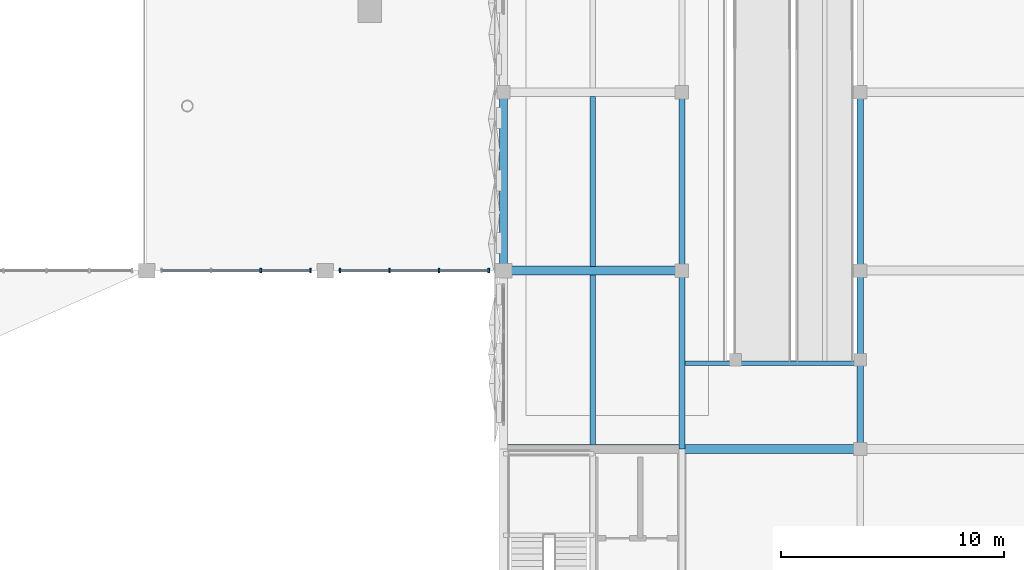
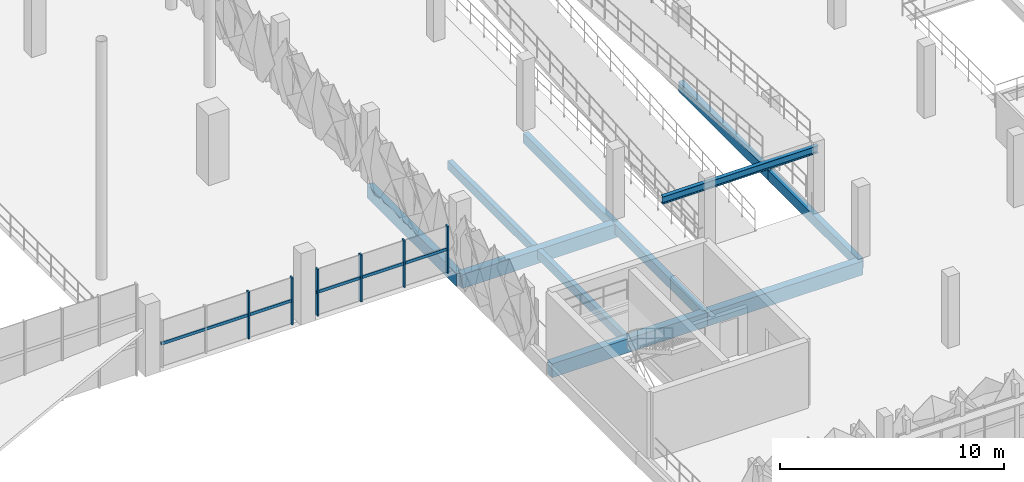
# One storey, part 42 of 123: 11 beams, 8 members, 2 elements without a shape of their own.
"""IFC4 building model written with IfcOpenShell, lengths in metres."""

from ifc_helpers import new_model, si_unit, derived_unit, direction, frame, origin, origin_2d, place, context, subcontext, project, spatial, rectangle, i_section, extrude, material, layer, layer_set, material_profile, profile_set, type_object, element, aggregate, save


model = new_model("IFC4")

# Units and contexts
model_context = context("Model", 3, precision=1e-05, world=origin(), true_north=direction((0.0, 1.0)))
body_context = subcontext(model_context, "Body", "Model", "MODEL_VIEW")
ifc_project = project(units=[si_unit("LENGTHUNIT", "METRE"), si_unit("AREAUNIT", "SQUARE_METRE"), si_unit("VOLUMEUNIT", "CUBIC_METRE"), si_unit("PLANEANGLEUNIT", "RADIAN"), si_unit("MASSUNIT", "GRAM", prefix="KILO"), si_unit("THERMODYNAMICTEMPERATUREUNIT", "KELVIN"), derived_unit("THERMALTRANSMITTANCEUNIT", [(si_unit("POWERUNIT", "WATT"), 1), (si_unit("AREAUNIT", "SQUARE_METRE"), -1), (si_unit("THERMODYNAMICTEMPERATUREUNIT", "KELVIN"), -1)])], contexts=[model_context])

# Site, building, storey
site_placement = place(None, origin())
site = spatial("IfcSite", under=ifc_project, at=site_placement, CompositionType="ELEMENT")
building_placement = place(site_placement, origin())
building = spatial("IfcBuilding", under=site, at=building_placement, Name="Haiyu Intermodal Mobility Hub", CompositionType="ELEMENT")
storey_placement = place(building_placement, frame((0.0, 0.0, 5.60009765625)))
storey = spatial("IfcBuildingStorey", under=building, at=storey_placement, Name="L01", CompositionType="ELEMENT", Elevation=5.60009765625)

# Beams
ifc_material_1 = material(Name="Concrete C40", Category="concrete")
ifc_material_profile_1 = material_profile(ifc_material_1, rectangle(XDim=0.39990234375, YDim=0.75, at=origin_2d()), Name="RCB400x750")
ifc_profile_set_1 = profile_set([ifc_material_profile_1], Name="Concrete C40")
beam_type_1 = type_object("IfcBeamType", Name="BM-CB03", PredefinedType="BEAM", material=ifc_profile_set_1)
for number, where, z_axis, x_axis, name in (
    (1, (154.0, 32.0, -0.635009765625), (1.0, 0.0, 0.0), (0.0, 1.0, 0.0), "BM-V5G-L01-014"),
    (2, (162.0, 32.0, -0.635009765625), (1.0, 0.0, 0.0), (0.0, 1.0, 0.0), "BM-V5G-L01-015"),
    (3, (154.0, 40.0, -0.635009765625), (1.0, 0.0, 0.0), (0.0, 1.0, 0.0), "BM-V5G-L01-021"),
):
    element("IfcBeam", number, at=place(storey_placement, frame(where, z_axis=z_axis, x_axis=x_axis)), inside=storey, type_object=beam_type_1, Name=name, PredefinedType="BEAM", context=body_context, shape_type="SweptSolid", body=[
        extrude(rectangle(XDim=0.39990234375, YDim=0.75, at=origin_2d()), origin(), (0.0, 0.0, 1.0), 8.0),
    ])
ifc_material_profile_2 = material_profile(ifc_material_1, rectangle(XDim=0.35009765625, YDim=0.699951171875, at=origin_2d()), Name="RCB350x700")
ifc_profile_set_2 = profile_set([ifc_material_profile_2], Name="Concrete C40")
beam_type_2 = type_object("IfcBeamType", Name="BM-CB06", PredefinedType="BEAM", material=ifc_profile_set_2)
beam_1_placement = place(storey_placement, frame((154.0, 40.0, -0.610107421875), z_axis=(0.0, 1.0, 0.0), x_axis=(-1.0, 0.0, 0.0)))
element("IfcBeam", 4, at=beam_1_placement, inside=storey, type_object=beam_type_2, Name="BM-V5T-L01-004", PredefinedType="BEAM", context=body_context, shape_type="SweptSolid", body=[
    extrude(rectangle(XDim=0.35009765625, YDim=0.699951171875, at=origin_2d()), origin(), (0.0, 0.0, 1.0), 8.0),
])
ifc_material_profile_3 = material_profile(ifc_material_1, rectangle(XDim=0.280029296875, YDim=0.5400390625, at=origin_2d()), Name="RCB280x540")
ifc_profile_set_3 = profile_set([ifc_material_profile_3], Name="Concrete C40")
beam_type_3 = type_object("IfcBeamType", Name="BM-CB08", PredefinedType="JOIST", material=ifc_profile_set_3)
for number, where, z_axis, x_axis, name in (
    (5, (162.0, 32.0, -0.530029296875), (0.0, 1.0, 0.0), (-1.0, 0.0, 0.0), "BM-V5T-L01-011"),
    (6, (162.0, 40.0, -0.530029296875), (0.0, 1.0, 0.0), (-1.0, 0.0, 0.0), "BM-V5T-L01-012"),
    (7, (170.0, 32.0, -0.530029296875), (0.0, 1.0, 0.0), (-1.0, 0.0, 0.0), "BM-V5T-L01-019"),
    (8, (170.0, 40.0, -0.530029296875), (0.0, 1.0, 0.0), (-1.0, 0.0, 0.0), "BM-V5T-L01-020"),
):
    element("IfcBeam", number, at=place(storey_placement, frame(where, z_axis=z_axis, x_axis=x_axis)), inside=storey, type_object=beam_type_3, Name=name, PredefinedType="JOIST", context=body_context, shape_type="SweptSolid", body=[
        extrude(rectangle(XDim=0.280029296875, YDim=0.5400390625, at=origin_2d()), origin(), (0.0, 0.0, 1.0), 8.0),
    ])
ifc_material_profile_4 = material_profile(ifc_material_1, rectangle(XDim=0.25, YDim=0.47998046875, at=origin_2d()), Name="RCB250x480")
ifc_profile_set_4 = profile_set([ifc_material_profile_4], Name="Concrete C40")
beam_type_4 = type_object("IfcBeamType", Name="BM-CB09", PredefinedType="JOIST", material=ifc_profile_set_4)
for number, where, z_axis, x_axis, name in (
    (9, (158.0, 32.18505859375, -0.5), (0.0, 1.0, 0.0), (-1.0, 0.0, 0.0), "BM-V5J-L01-003"),
    (10, (158.0, 40.18505859375, -0.5), (0.0, 1.0, 0.0), (-1.0, 0.0, 0.0), "BM-V5J-L01-004"),
):
    element("IfcBeam", number, at=place(storey_placement, frame(where, z_axis=z_axis, x_axis=x_axis)), inside=storey, type_object=beam_type_4, Name=name, PredefinedType="JOIST", context=body_context, shape_type="SweptSolid", body=[
        extrude(rectangle(XDim=0.25, YDim=0.47998046875, at=origin_2d()), origin(), (0.0, 0.0, 1.0), 7.6298828125),
    ])
ifc_material_2 = material(Name="Steel Q355C", Category="steel")
ifc_material_profile_5 = material_profile(ifc_material_2, i_section(OverallWidth=0.199951171875, OverallDepth=0.39990234375, WebThickness=0.008056640625, FlangeThickness=0.012939453125, FilletRadius=0.01611328125, at=origin_2d()), Name="HN400x200x8x13")
ifc_profile_set_5 = profile_set([ifc_material_profile_5], Name="Steel Q355C")
beam_type_5 = type_object("IfcBeamType", Name="BM-SB08", PredefinedType="JOIST", material=ifc_profile_set_5)
beam_2_placement = place(storey_placement, frame((162.0, 35.85009765625, 3.434814453125), z_axis=(1.0, 0.0, 0.0), x_axis=(0.0, 1.0, 0.0)))
element("IfcBeam", 11, at=beam_2_placement, inside=storey, type_object=beam_type_5, Name="BM-BRMPT-L01", PredefinedType="JOIST", context=body_context, shape_type="SweptSolid", body=[
    extrude(i_section(OverallWidth=0.199951171875, OverallDepth=0.39990234375, WebThickness=0.008056640625, FlangeThickness=0.012939453125, FilletRadius=0.01611328125, at=origin_2d()), origin(), (0.0, 0.0, 1.0), 8.0),
])

# Curtain wall, members
ifc_material_3 = material(Name="Low-e laminated insulating glass", Category="glass")
ifc_layer = layer(ifc_material_3, 0.219970703125)
ifc_layer_set = layer_set([ifc_layer], Name="Low-e laminated insulating glass")
curtain_wall_type = type_object("IfcCurtainWallType", Name="CW-CW01", PredefinedType="NOTDEFINED", material=ifc_layer_set)
curtain_wall_1_placement = place(storey_placement, origin())
curtain_wall_1 = element("IfcCurtainWall", 12, at=curtain_wall_1_placement, inside=storey, type_object=curtain_wall_type, Name="Curtain Wall CW-V1S-L01-018", PredefinedType="NOTDEFINED")
ifc_material_4 = material(Name="Anodised aluminium 6063-T6", Category="aluminium")
ifc_material_profile_6 = material_profile(ifc_material_4, rectangle(XDim=0.074951171875, YDim=0.199951171875, at=origin_2d()), Name="ALU75x200")
ifc_profile_set_6 = profile_set([ifc_material_profile_6], Name="Anodised aluminium 6063-T6")
member_type_1 = type_object("IfcMemberType", Name="CWM-ML01", PredefinedType="MULLION", material=ifc_profile_set_6)
member_1_placement = place(storey_placement, frame((143.113037109375, 40.0, 0.0), z_axis=(0.0, 0.0, 1.0), x_axis=(1.0, 0.0, 0.0)))
member_1 = element("IfcMember", 13, at=member_1_placement, type_object=member_type_1, Name="CW-V1S-L01-018-ML03", PredefinedType="MULLION", context=body_context, shape_type="SweptSolid", body=[
    extrude(rectangle(XDim=0.074951171875, YDim=0.199951171875, at=origin_2d()), origin(), (0.0, 0.0, 1.0), 2.5498046875),
])
member_2_placement = place(storey_placement, frame((145.340087890625, 40.0, 0.0), z_axis=(0.0, 0.0, 1.0), x_axis=(1.0, 0.0, 0.0)))
member_2 = element("IfcMember", 14, at=member_2_placement, type_object=member_type_1, Name="CW-V1S-L01-018-ML04", PredefinedType="MULLION", context=body_context, shape_type="SweptSolid", body=[
    extrude(rectangle(XDim=0.074951171875, YDim=0.199951171875, at=origin_2d()), origin(), (0.0, 0.0, 1.0), 2.5498046875),
])

curtain_wall_2_placement = place(storey_placement, origin())
curtain_wall_2 = element("IfcCurtainWall", 15, at=curtain_wall_2_placement, inside=storey, type_object=curtain_wall_type, Name="Curtain Wall CW-V1S-L01-020", PredefinedType="NOTDEFINED")
member_3_placement = place(storey_placement, frame((146.659912109375, 40.0, 0.0), z_axis=(0.0, 0.0, 1.0), x_axis=(1.0, 0.0, 0.0)))
member_3 = element("IfcMember", 16, at=member_3_placement, type_object=member_type_1, Name="CW-V1S-L01-020-ML01", PredefinedType="MULLION", context=body_context, shape_type="SweptSolid", body=[
    extrude(rectangle(XDim=0.074951171875, YDim=0.199951171875, at=origin_2d()), origin(), (0.0, 0.0, 1.0), 2.5498046875),
])
member_4_placement = place(storey_placement, frame((148.886962890625, 40.0, 0.0), z_axis=(0.0, 0.0, 1.0), x_axis=(1.0, 0.0, 0.0)))
member_4 = element("IfcMember", 17, at=member_4_placement, type_object=member_type_1, Name="CW-V1S-L01-020-ML02", PredefinedType="MULLION", context=body_context, shape_type="SweptSolid", body=[
    extrude(rectangle(XDim=0.074951171875, YDim=0.199951171875, at=origin_2d()), origin(), (0.0, 0.0, 1.0), 2.5498046875),
])
member_5_placement = place(storey_placement, frame((151.113037109375, 40.0, 0.0), z_axis=(0.0, 0.0, 1.0), x_axis=(1.0, 0.0, 0.0)))
member_5 = element("IfcMember", 18, at=member_5_placement, type_object=member_type_1, Name="CW-V1S-L01-020-ML03", PredefinedType="MULLION", context=body_context, shape_type="SweptSolid", body=[
    extrude(rectangle(XDim=0.074951171875, YDim=0.199951171875, at=origin_2d()), origin(), (0.0, 0.0, 1.0), 2.5498046875),
])
member_6_placement = place(storey_placement, frame((153.340087890625, 40.0, 0.0), z_axis=(0.0, 0.0, 1.0), x_axis=(1.0, 0.0, 0.0)))
member_6 = element("IfcMember", 19, at=member_6_placement, type_object=member_type_1, Name="CW-V1S-L01-020-ML04", PredefinedType="MULLION", context=body_context, shape_type="SweptSolid", body=[
    extrude(rectangle(XDim=0.074951171875, YDim=0.199951171875, at=origin_2d()), origin(), (0.0, 0.0, 1.0), 2.5498046875),
])

# Member
ifc_material_profile_7 = material_profile(ifc_material_4, rectangle(XDim=0.074951171875, YDim=0.159912109375, at=origin_2d()), Name="ALU75x160")
ifc_profile_set_7 = profile_set([ifc_material_profile_7], Name="Anodised aluminium 6063-T6")
member_type_2 = type_object("IfcMemberType", Name="CWM-TR01", PredefinedType="USERDEFINED", material=ifc_profile_set_7)
member_7_placement = place(storey_placement, frame((138.6201171875, 40.0, 1.27490234375), z_axis=(1.0, 0.0, 0.0), x_axis=(0.0, 1.0, 0.0)))
member_7 = element("IfcMember", 20, at=member_7_placement, type_object=member_type_2, Name="CW-V1S-L01-018-TR01", ObjectType="TRANSOM", PredefinedType="USERDEFINED", context=body_context, shape_type="SweptSolid", body=[
    extrude(rectangle(XDim=0.074951171875, YDim=0.159912109375, at=origin_2d()), origin(), (0.0, 0.0, 1.0), 6.759765625),
])

aggregate(curtain_wall_1, [member_1, member_2, member_7])

member_8_placement = place(storey_placement, frame((146.6201171875, 40.0, 1.27490234375), z_axis=(1.0, 0.0, 0.0), x_axis=(0.0, 1.0, 0.0)))
member_8 = element("IfcMember", 21, at=member_8_placement, type_object=member_type_2, Name="CW-V1S-L01-020-TR01", ObjectType="TRANSOM", PredefinedType="USERDEFINED", context=body_context, shape_type="SweptSolid", body=[
    extrude(rectangle(XDim=0.074951171875, YDim=0.159912109375, at=origin_2d()), origin(), (0.0, 0.0, 1.0), 6.759765625),
])

aggregate(curtain_wall_2, [member_3, member_4, member_5, member_6, member_8])

save(model, "model.ifc")
